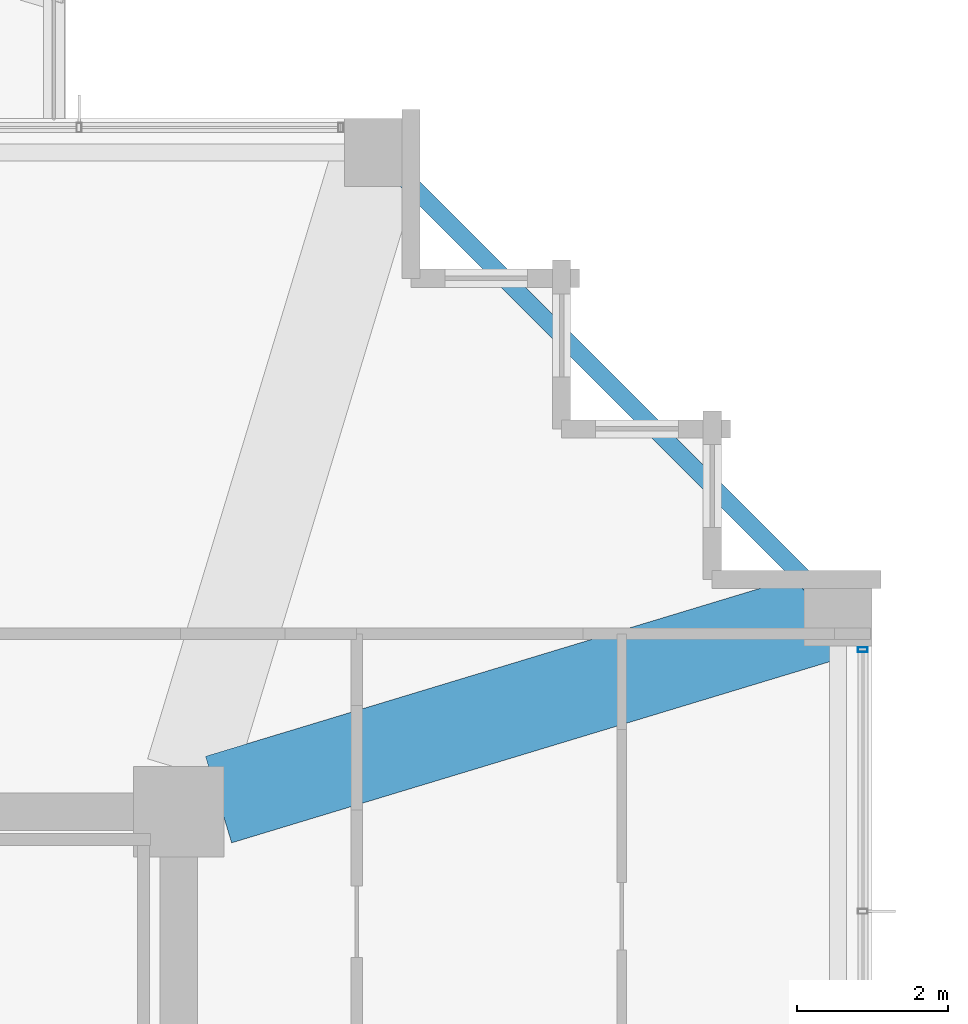
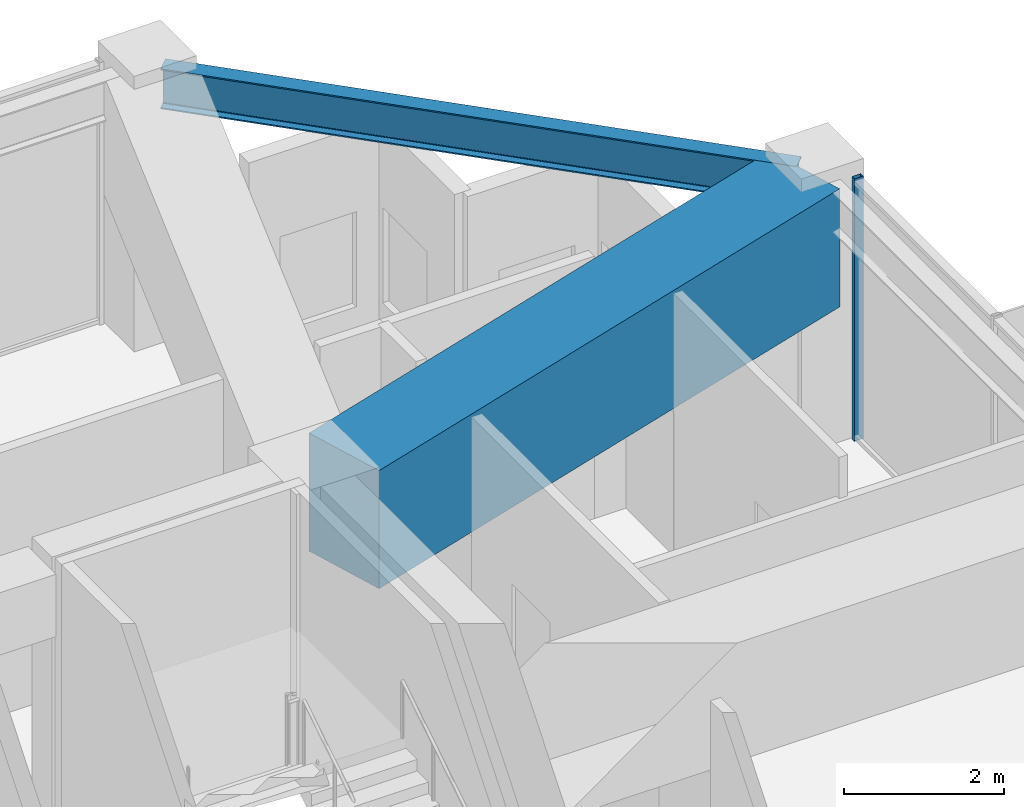
# One storey, part 20 of 33: 2 beams, 1 member, 1 element without a shape of its own.
"""IFC4 building model written with IfcOpenShell, lengths in metres."""

import ifcopenshell
import ifcopenshell.guid

model = None  # the IFC model being written
_history = None  # IfcOwnerHistory: only IFC2X3 demands one
_inside = {}  # id of a spatial element -> (the spatial element, [elements in it])
_under = {}  # id of a project, library or spatial element -> (it, [spatial elements below it])
_declared = {}  # id of a project -> (the project, [libraries it declares])
_typed = {}  # id of a type object -> (the type object, [elements of that type])
_made_of = {}  # id of a material, layer set ... -> (it, [elements and type objects made of it])


def new_model(schema):
    """Start an empty IFC model of exactly this schema.

    Asked for "IFC4X3", IfcOpenShell would pick the latest addendum, in which some entities
    have other attributes; the version numbers below select the first issue.
    IFC2X3 requires an IfcOwnerHistory on every rooted entity: one is made here for all.
    """
    global model, _history
    if schema == "IFC4X3":
        model = ifcopenshell.file(schema_version=(4, 3, 0, 0))
    else:
        model = ifcopenshell.file(schema=schema)
    _inside.clear()
    _under.clear()
    _declared.clear()
    _typed.clear()
    _made_of.clear()
    _history = None
    if model.schema == "IFC2X3":
        org = make("IfcOrganization", Name="unknown")
        user = make(
            "IfcPersonAndOrganization",
            ThePerson=make("IfcPerson", FamilyName="unknown"),
            TheOrganization=org,
        )
        app = make(
            "IfcApplication",
            ApplicationDeveloper=org,
            Version="unknown",
            ApplicationFullName="unknown",
            ApplicationIdentifier="unknown",
        )
        _history = make(
            "IfcOwnerHistory",
            OwningUser=user,
            OwningApplication=app,
            ChangeAction="ADDED",
            CreationDate=0,
        )
    return model


def make(cls, **values):
    """One entity of the class cls with the attributes given. An attribute that is None is left unset."""
    return model.create_entity(
        cls, **{name: value for name, value in values.items() if value is not None}
    )


def rooted(cls, **values):
    """An entity with a GlobalId (a new one), such as an element, a storey or a relation."""
    return make(cls, GlobalId=ifcopenshell.guid.new(), OwnerHistory=_history, **values)


def si_unit(unit_type, name, prefix=None):
    """IfcSIUnit, for example si_unit("LENGTHUNIT", "METRE", prefix="MILLI")."""
    return make("IfcSIUnit", UnitType=unit_type, Prefix=prefix, Name=name)


def assignment(units):
    """IfcUnitAssignment: the units of a project."""
    return None if units is None else make("IfcUnitAssignment", Units=units)


def point(xyz):
    """IfcCartesianPoint."""
    return None if xyz is None else make("IfcCartesianPoint", Coordinates=xyz)


def direction(xyz):
    """IfcDirection."""
    return None if xyz is None else make("IfcDirection", DirectionRatios=xyz)


def frame(location, z_axis=None, x_axis=None):
    """IfcAxis2Placement3D, a coordinate frame: its origin and axes. An axis left out is left unset."""
    return make(
        "IfcAxis2Placement3D",
        Location=point(location),
        Axis=direction(z_axis),
        RefDirection=direction(x_axis),
    )


def frame_2d(location, x_axis=None):
    """IfcAxis2Placement2D, a coordinate frame in the plane: its origin and x axis."""
    return make(
        "IfcAxis2Placement2D", Location=point(location), RefDirection=direction(x_axis)
    )


def origin():
    """The frame at (0, 0, 0) with its axes left unset."""
    return frame((0.0, 0.0, 0.0))


def origin_2d():
    """The frame at (0, 0) in the plane with its x axis left unset."""
    return frame_2d((0.0, 0.0))


def place(relative_to, where):
    """IfcLocalPlacement: puts the frame where relative to a parent placement (None: the world)."""
    return make(
        "IfcLocalPlacement", PlacementRelTo=relative_to, RelativePlacement=where
    )


def context(
    kind, dimensions, precision=None, world=None, true_north=None, identifier=None
):
    """IfcGeometricRepresentationContext, for example the 3D "Model" context."""
    return make(
        "IfcGeometricRepresentationContext",
        ContextIdentifier=identifier,
        ContextType=kind,
        CoordinateSpaceDimension=dimensions,
        Precision=precision,
        WorldCoordinateSystem=world,
        TrueNorth=true_north,
    )


def subcontext(parent, identifier, kind, view, scale=None):
    """IfcGeometricRepresentationSubContext, for example "Body" below "Model"."""
    return make(
        "IfcGeometricRepresentationSubContext",
        ContextIdentifier=identifier,
        ContextType=kind,
        ParentContext=parent,
        TargetScale=scale,
        TargetView=view,
    )


def project(units=None, contexts=None):
    """IfcProject with its units and contexts."""
    return rooted(
        "IfcProject",
        Name="project",
        RepresentationContexts=contexts,
        UnitsInContext=assignment(units),
    )


def spatial(cls, under=None, at=None, **own):
    """A site, building, storey or space (cls), placed at a placement, below another one or the project."""
    s = rooted(cls, ObjectPlacement=at, **own)
    if under is not None:
        _under.setdefault(under.id(), (under, []))[1].append(s)
    return s


def profile(cls, at=None, kind="AREA", **sizes):
    """A parametric profile (cls). Its sizes go by their IFC names, for example OverallWidth=200.0."""
    return make(cls, ProfileType=kind, Position=at, **sizes)


def rectangle(**sizes):
    """IfcRectangleProfileDef."""
    return profile("IfcRectangleProfileDef", **sizes)


def hollow_rectangle(**sizes):
    """IfcRectangleHollowProfileDef."""
    return profile("IfcRectangleHollowProfileDef", **sizes)


def i_section(**sizes):
    """IfcIShapeProfileDef."""
    return profile("IfcIShapeProfileDef", **sizes)


def extrude(swept, where, along, depth):
    """IfcExtrudedAreaSolid: the profile swept, set in the frame where, extruded along a direction by depth."""
    return make(
        "IfcExtrudedAreaSolid",
        SweptArea=swept,
        Position=where,
        ExtrudedDirection=direction(along),
        Depth=depth,
    )


def shape(context_of_items, identifier, shape_type, items):
    """IfcShapeRepresentation: the items that make up one representation, for example the "Body"."""
    return make(
        "IfcShapeRepresentation",
        ContextOfItems=context_of_items,
        RepresentationIdentifier=identifier,
        RepresentationType=shape_type,
        Items=items,
    )


def material(Name=None, Category=None):
    """IfcMaterial."""
    return make("IfcMaterial", Name=Name, Category=Category)


def material_profile(
    of_material, cross_section, Name=None, Category=None, Priority=None
):
    """IfcMaterialProfile: a cross section and its material."""
    return make(
        "IfcMaterialProfile",
        Name=Name,
        Material=of_material,
        Profile=cross_section,
        Priority=Priority,
        Category=Category,
    )


def profile_set(profiles, Name=None, composite=None):
    """IfcMaterialProfileSet."""
    return make(
        "IfcMaterialProfileSet",
        Name=Name,
        MaterialProfiles=profiles,
        CompositeProfile=composite,
    )


def made_of(thing, what):
    """Note that an element or type object is made of a material, layer set ...; save() writes the relation."""
    if what is not None:
        _made_of.setdefault(what.id(), (what, []))[1].append(thing)
    return thing


def type_object(cls, material=None, **own):
    """A type object (cls), such as IfcWallType, which elements share."""
    return made_of(rooted(cls, **own), material)


def element(
    cls,
    number,
    at=None,
    inside=None,
    cuts=None,
    type_object=None,
    material=None,
    context=None,
    identifier="Body",
    shape_type=None,
    held_by="IfcProductDefinitionShape",
    body=None,
    shapes=None,
    **own,
):
    """One element of the class cls, such as IfcWall. Its Tag is "e" and its number.

    at: its placement. inside: the storey or other place that contains it. cuts: it is an
    opening in that element (IfcRelVoidsElement). A single representation is given by context,
    identifier, shape_type and body (its items); several are given by shapes. held_by: the class
    of the entity that holds the representations. save() writes the other relations.
    """
    e = rooted(cls, Tag="e%d" % number, ObjectPlacement=at, **own)
    if body is not None:
        shapes = [shape(context, identifier, shape_type, body)]
    if shapes is not None:
        e.Representation = make(held_by, Representations=shapes)
    if inside is not None:
        _inside.setdefault(inside.id(), (inside, []))[1].append(e)
    if cuts is not None:
        rooted(
            "IfcRelVoidsElement", RelatingBuildingElement=cuts, RelatedOpeningElement=e
        )
    if type_object is not None:
        _typed.setdefault(type_object.id(), (type_object, []))[1].append(e)
    return made_of(e, material)


def aggregate(whole, parts):
    """IfcRelAggregates: a whole, such as a stair, and the parts it consists of."""
    return rooted("IfcRelAggregates", RelatingObject=whole, RelatedObjects=parts)


def save(model, path):
    """Write the relations noted so far, then the file.

    IfcRelAggregates (storeys below a building ...), IfcRelContainedInSpatialStructure (elements
    in a storey), IfcRelDefinesByType, IfcRelAssociatesMaterial and IfcRelDeclares: one each for
    every whole, place, type object, material and project.
    """
    for whole, parts in _under.values():
        aggregate(whole, parts)
    for where, things in _inside.values():
        rooted(
            "IfcRelContainedInSpatialStructure",
            RelatedElements=things,
            RelatingStructure=where,
        )
    for kind, things in _typed.values():
        rooted("IfcRelDefinesByType", RelatedObjects=things, RelatingType=kind)
    for what, things in _made_of.values():
        rooted("IfcRelAssociatesMaterial", RelatedObjects=things, RelatingMaterial=what)
    for by, libraries in _declared.values():
        rooted("IfcRelDeclares", RelatingContext=by, RelatedDefinitions=libraries)
    model.write(path)


model = new_model("IFC4")

# Units and contexts
model_context = context("Model", 3, precision=1e-05, world=origin(), true_north=direction((0.0, 1.0)))
body_context = subcontext(model_context, "Body", "Model", "MODEL_VIEW")
ifc_project = project(units=[si_unit("LENGTHUNIT", "METRE"), si_unit("AREAUNIT", "SQUARE_METRE"), si_unit("VOLUMEUNIT", "CUBIC_METRE"), si_unit("PLANEANGLEUNIT", "RADIAN"), si_unit("MASSUNIT", "GRAM", prefix="KILO")], contexts=[model_context])

# Site, building, storey
site_placement = place(None, origin())
site = spatial("IfcSite", under=ifc_project, at=site_placement, CompositionType="ELEMENT")
building_placement = place(site_placement, origin())
building = spatial("IfcBuilding", under=site, at=building_placement, Name="Kolvaren Belvedere", CompositionType="ELEMENT")
storey_placement = place(building_placement, frame((0.0, 0.0, 152.699951171875)))
storey = spatial("IfcBuildingStorey", under=building, at=storey_placement, Name="L44", CompositionType="ELEMENT", Elevation=152.699951171875)

# Beams
ifc_material_1 = material(Name="Structural steel ASTM A992 Grade 50", Category="steel")
ifc_material_profile_1 = material_profile(ifc_material_1, i_section(OverallWidth=0.22900390625, OverallDepth=0.612060546875, WebThickness=0.011962890625, FlangeThickness=0.01953125, FilletRadius=0.01806640625, at=origin_2d()), Name="W24X84")
ifc_profile_set_1 = profile_set([ifc_material_profile_1], Name="Structural steel ASTM A992 Grade 50")
beam_type_1 = type_object("IfcBeamType", Name="BM-SPAN-W24X84", PredefinedType="SPANDREL", material=ifc_profile_set_1)
beam_1_placement = place(storey_placement, frame((18.5068359375, 12.693115234375, 3.694091796875), z_axis=(-0.707106781187, 0.707106781187, 0.0), x_axis=(-0.707106781187, -0.707106781187, 0.0)))
element("IfcBeam", 1, at=beam_1_placement, inside=storey, type_object=beam_type_1, Name="L44 Perimeter Spandrel E4-N4", PredefinedType="SPANDREL", context=body_context, shape_type="SweptSolid", body=[
    extrude(i_section(OverallWidth=0.22900390625, OverallDepth=0.612060546875, WebThickness=0.011962890625, FlangeThickness=0.01953125, FilletRadius=0.01806640625, at=origin_2d()), origin(), (0.0, 0.0, 1.0), 8.221923828125),
])
ifc_material_2 = material(Name="Concrete C50/60", Category="concrete")
ifc_material_profile_2 = material_profile(ifc_material_2, rectangle(XDim=1.199951171875, YDim=1.800048828125, at=origin_2d()), Name="RC 1200X1800")
ifc_profile_set_2 = profile_set([ifc_material_profile_2], Name="Concrete C50/60")
beam_type_2 = type_object("IfcBeamType", Name="BM-TG-1800", PredefinedType="BEAM", material=ifc_profile_set_2)
beam_2_placement = place(storey_placement, frame((10.426513671875, 10.059326171875, 3.10009765625), z_axis=(0.957067352423, 0.289865629086, 0.0), x_axis=(-0.289865629086, 0.957067352423, 0.0)))
element("IfcBeam", 2, at=beam_2_placement, inside=storey, type_object=beam_type_2, Name="L44 Corner Core-to-Perimeter Girder CC3-E4", PredefinedType="BEAM", context=body_context, shape_type="SweptSolid", body=[
    extrude(rectangle(XDim=1.199951171875, YDim=1.800048828125, at=origin_2d()), origin(), (0.0, 0.0, 1.0), 8.412353515625),
])

# Curtain wall, member
ifc_material_3 = material(Name="Anodised pale-metal aluminium AA 6063-T6", Category="aluminium")
curtain_wall_type = type_object("IfcCurtainWallType", Name="CW-Z3-WAIST", PredefinedType="NOTDEFINED", material=ifc_material_3)
curtain_wall_placement = place(storey_placement, origin())
curtain_wall = element("IfcCurtainWall", 3, at=curtain_wall_placement, inside=storey, type_object=curtain_wall_type, Name="L44 Unitised Curtain Wall FCW-L44-E-B1", PredefinedType="NOTDEFINED")
ifc_material_4 = material(Name="Anodised pale-metal aluminium AA 6063-T6", Category="aluminium")
ifc_material_profile_3 = material_profile(ifc_material_4, hollow_rectangle(XDim=0.06494140625, YDim=0.1298828125, WallThickness=0.00390625, at=origin_2d()), Name="ALU-MUL-130X65")
ifc_profile_set_3 = profile_set([ifc_material_profile_3], Name="Anodised pale-metal aluminium AA 6063-T6")
member_type = type_object("IfcMemberType", Name="CW-MUL-130", PredefinedType="MULLION", material=ifc_profile_set_3)
member_placement = place(storey_placement, frame((18.97998046875, 12.047607421875, 0.0), z_axis=(0.0, 0.0, 1.0), x_axis=(0.0, 1.0, 0.0)))
member = element("IfcMember", 4, at=member_placement, type_object=member_type, Name="FCW-L44-E-B1 Unitised Mullion 1", PredefinedType="MULLION", context=body_context, shape_type="SweptSolid", body=[
    extrude(hollow_rectangle(XDim=0.06494140625, YDim=0.1298828125, WallThickness=0.00390625, at=origin_2d()), origin(), (0.0, 0.0, 1.0), 4.0),
])
aggregate(curtain_wall, [member])

save(model, "model.ifc")
